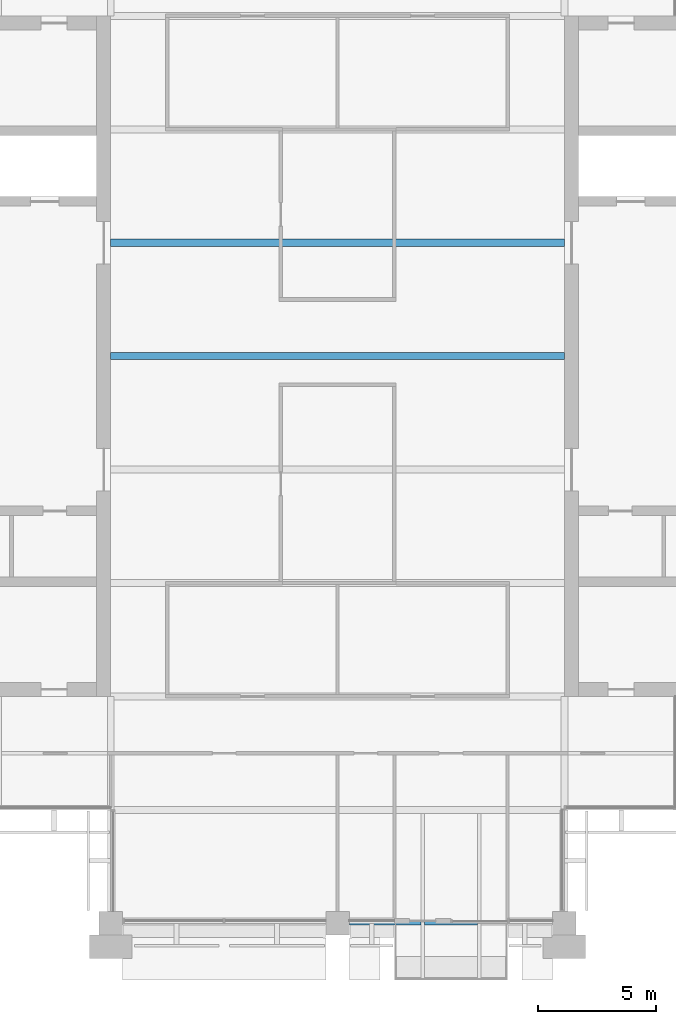
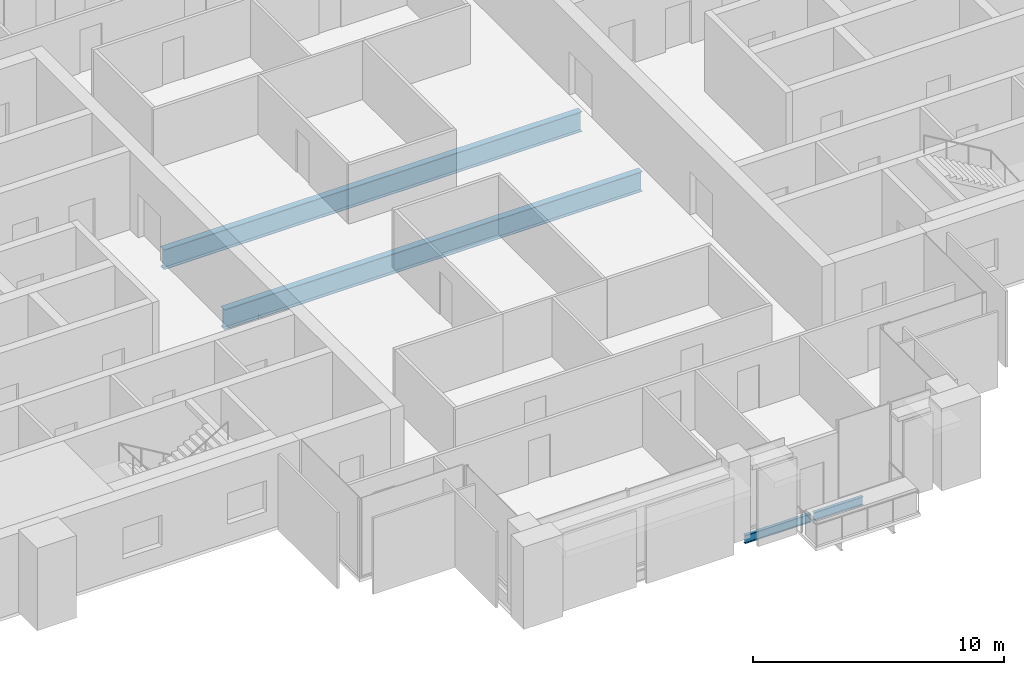
# One storey, part 3 of 13: 4 beams.
"""IFC4 building model written with IfcOpenShell, lengths in metres."""

from ifc_helpers import new_model, si_unit, direction, frame, origin, origin_2d, place, context, subcontext, project, spatial, i_section, extrude, material, material_profile, profile_set, type_object, element, save


model = new_model("IFC4")

# Units and contexts
model_context = context("Model", 3, precision=1e-05, world=origin(), true_north=direction((0.0, 1.0)))
body_context = subcontext(model_context, "Body", "Model", "MODEL_VIEW")
ifc_project = project(units=[si_unit("LENGTHUNIT", "METRE"), si_unit("AREAUNIT", "SQUARE_METRE"), si_unit("VOLUMEUNIT", "CUBIC_METRE"), si_unit("PLANEANGLEUNIT", "RADIAN"), si_unit("MASSUNIT", "GRAM", prefix="KILO")], contexts=[model_context])

# Site, building, storey
site_placement = place(None, origin())
site = spatial("IfcSite", under=ifc_project, at=site_placement, CompositionType="ELEMENT")
building_placement = place(site_placement, origin())
building = spatial("IfcBuilding", under=site, at=building_placement, Name="Baori Bourse Tower", CompositionType="ELEMENT")
storey_placement = place(building_placement, frame((0.0, 0.0, 302.300048828125)))
storey = spatial("IfcBuildingStorey", under=building, at=storey_placement, Name="L66", CompositionType="ELEMENT", Elevation=302.300048828125)

# Beams
ifc_material_1 = material(Name="Steel A992 Gr 50", Category="steel")
ifc_material_profile_1 = material_profile(ifc_material_1, i_section(OverallWidth=0.140380859375, OverallDepth=0.40380859375, WebThickness=0.007080078125, FlangeThickness=0.01123046875, at=origin_2d()), Name="W16x31")
ifc_profile_set_1 = profile_set([ifc_material_profile_1], Name="Steel A992 Gr 50")
beam_type_1 = type_object("IfcBeamType", Name="Edge beam W16x31", PredefinedType="BEAM", material=ifc_profile_set_1)
beam_1_placement = place(storey_placement, frame((29.300048828125, 0.0, -0.362060546875), z_axis=(1.0, 0.0, 0.0), x_axis=(0.0, 1.0, 0.0)))
element("IfcBeam", 1, at=beam_1_placement, inside=storey, type_object=beam_type_1, Name="Edge beam L66", PredefinedType="BEAM", context=body_context, shape_type="SweptSolid", body=[
    extrude(i_section(OverallWidth=0.140380859375, OverallDepth=0.40380859375, WebThickness=0.007080078125, FlangeThickness=0.01123046875, at=origin_2d()), origin(), (0.0, 0.0, 1.0), 3.02978515625),
])
beam_2_placement = place(storey_placement, frame((32.47021484375, 0.0, -0.362060546875), z_axis=(1.0, 0.0, 0.0), x_axis=(0.0, 1.0, 0.0)))
element("IfcBeam", 2, at=beam_2_placement, inside=storey, type_object=beam_type_1, Name="Edge beam L66", PredefinedType="BEAM", context=body_context, shape_type="SweptSolid", body=[
    extrude(i_section(OverallWidth=0.140380859375, OverallDepth=0.40380859375, WebThickness=0.007080078125, FlangeThickness=0.01123046875, at=origin_2d()), origin(), (0.0, 0.0, 1.0), 2.259521484375),
])
ifc_material_2 = material(Name="Steel A992 Gr 50", Category="steel")
ifc_material_profile_2 = material_profile(ifc_material_2, i_section(OverallWidth=0.2998046875, OverallDepth=0.97021484375, WebThickness=0.01611328125, FlangeThickness=0.02099609375, at=origin_2d()), Name="W40x149")
ifc_profile_set_2 = profile_set([ifc_material_profile_2], Name="Steel A992 Gr 50")
beam_type_2 = type_object("IfcBeamType", Name="Floor beam W40x149", PredefinedType="BEAM", material=ifc_profile_set_2)
for number, where, z_axis, x_axis, name in (
    (3, (19.199951171875, 24.0, -0.645263671875), (1.0, 0.0, 0.0), (0.0, 1.0, 0.0), "Floor beam L66"),
    (4, (19.199951171875, 28.800048828125, -0.645263671875), (1.0, 0.0, 0.0), (0.0, 1.0, 0.0), "Floor beam L66"),
):
    element("IfcBeam", number, at=place(storey_placement, frame(where, z_axis=z_axis, x_axis=x_axis)), inside=storey, type_object=beam_type_2, Name=name, PredefinedType="BEAM", context=body_context, shape_type="SweptSolid", body=[
        extrude(i_section(OverallWidth=0.2998046875, OverallDepth=0.97021484375, WebThickness=0.01611328125, FlangeThickness=0.02099609375, at=origin_2d()), origin(), (0.0, 0.0, 1.0), 19.199951171875),
    ])

save(model, "model.ifc")
